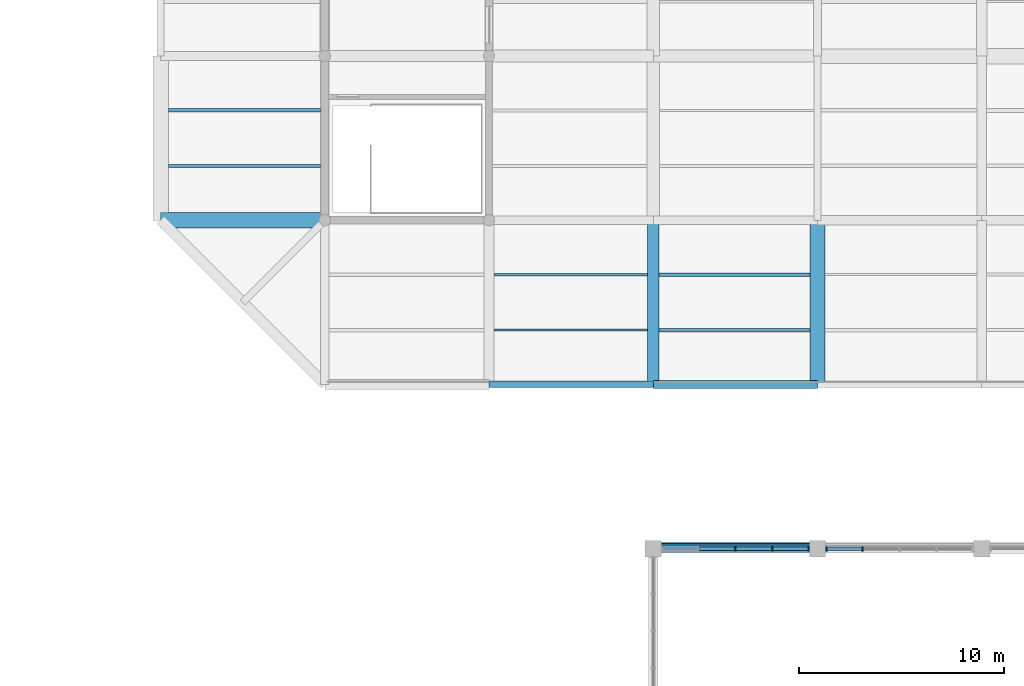
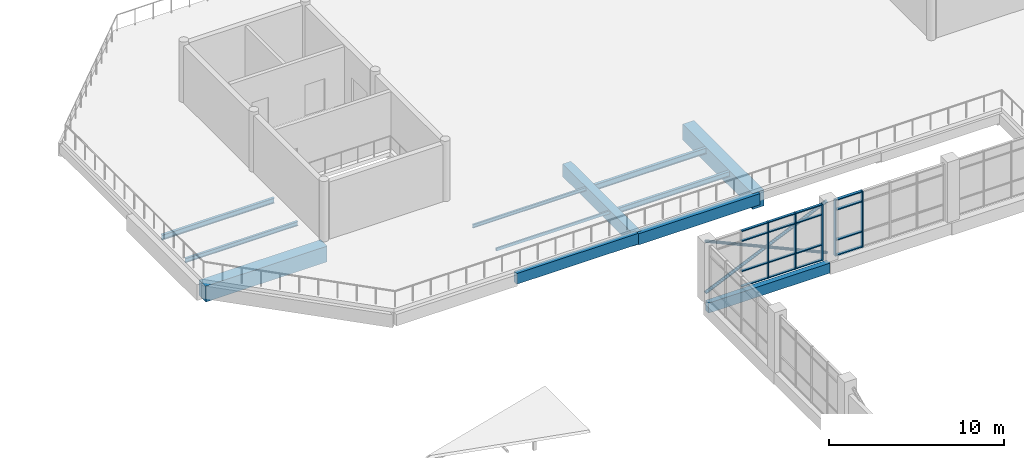
# One storey, part 36 of 84: 23 members, 12 beams, 2 elements without a shape of their own.
"""IFC4 building model written with IfcOpenShell, lengths in metres."""

from ifc_helpers import new_model, si_unit, direction, frame, origin, origin_2d, place, context, subcontext, project, spatial, rectangle, hollow_rectangle, hollow_circle, i_section, extrude, material, material_profile, profile_set, type_object, element, aggregate, save


model = new_model("IFC4")

# Units and contexts
model_context = context("Model", 3, precision=1e-05, world=origin(), true_north=direction((0.0, 1.0)))
body_context = subcontext(model_context, "Body", "Model", "MODEL_VIEW")
ifc_project = project(units=[si_unit("LENGTHUNIT", "METRE"), si_unit("AREAUNIT", "SQUARE_METRE"), si_unit("VOLUMEUNIT", "CUBIC_METRE"), si_unit("PLANEANGLEUNIT", "RADIAN"), si_unit("MASSUNIT", "GRAM", prefix="KILO")], contexts=[model_context])

# Site, building, storey
site_placement = place(None, origin())
site = spatial("IfcSite", under=ifc_project, at=site_placement, CompositionType="ELEMENT")
building_placement = place(site_placement, origin())
building = spatial("IfcBuilding", under=site, at=building_placement, Name="Tenunan Teduh Sports Hall", CompositionType="ELEMENT")
storey_placement = place(building_placement, frame((0.0, 0.0, 10.800048828125)))
storey = spatial("IfcBuildingStorey", under=building, at=storey_placement, Name="L02", CompositionType="ELEMENT", Elevation=10.800048828125)

# Beams
ifc_material_1 = material(Name="Concrete C40/50", Category="concrete")
ifc_material_profile_1 = material_profile(ifc_material_1, rectangle(XDim=0.35009765625, YDim=0.699951171875, at=origin_2d()), Name="RCB 350x700")
ifc_profile_set_1 = profile_set([ifc_material_profile_1], Name="Concrete C40/50")
beam_type_1 = type_object("IfcBeamType", Name="BM-RC-350x700", PredefinedType="BEAM", material=ifc_profile_set_1)
beam_1_placement = place(storey_placement, frame((122.0, 78.0, -0.610107421875), z_axis=(1.0, 0.0, 0.0), x_axis=(0.0, 1.0, 0.0)))
element("IfcBeam", 1, at=beam_1_placement, inside=storey, type_object=beam_type_1, Name="BM-B-06-L02-1487", PredefinedType="BEAM", context=body_context, shape_type="SweptSolid", body=[
    extrude(rectangle(XDim=0.35009765625, YDim=0.699951171875, at=origin_2d()), origin(), (0.0, 0.0, 1.0), 8.0),
])
ifc_material_2 = material(Name="Concrete C40/50", Category="concrete")
ifc_material_profile_2 = material_profile(ifc_material_2, rectangle(XDim=0.550048828125, YDim=0.89990234375, at=origin_2d()), Name="RCB 550x900")
ifc_profile_set_2 = profile_set([ifc_material_profile_2], Name="Concrete C40/50")
beam_type_2 = type_object("IfcBeamType", Name="BM-RC-550x900", PredefinedType="BEAM", material=ifc_profile_set_2)
beam_2_placement = place(storey_placement, frame((122.0, 86.0, -0.7099609375), z_axis=(0.0, 1.0, 0.0), x_axis=(-1.0, 0.0, 0.0)))
element("IfcBeam", 2, at=beam_2_placement, inside=storey, type_object=beam_type_2, Name="BM-B-16-L02-1641", PredefinedType="BEAM", context=body_context, shape_type="SweptSolid", body=[
    extrude(rectangle(XDim=0.550048828125, YDim=0.89990234375, at=origin_2d()), origin(), (0.0, 0.0, 1.0), 8.0),
])
ifc_material_3 = material(Name="Concrete C40/50", Category="concrete")
ifc_material_profile_3 = material_profile(ifc_material_3, rectangle(XDim=0.75, YDim=1.10009765625, at=origin_2d()), Name="RCB 750x1100")
ifc_profile_set_3 = profile_set([ifc_material_profile_3], Name="Concrete C40/50")
beam_type_3 = type_object("IfcBeamType", Name="BM-RC-750x1100", PredefinedType="SPANDREL", material=ifc_profile_set_3)
for number, where, z_axis, x_axis, name in (
    (3, (98.0, 94.0, -0.81005859375), (1.0, 0.0, 0.0), (0.0, 1.0, 0.0), "BM-B-20-L02-1516"),
    (4, (130.0, 86.0, -0.81005859375), (0.0, 1.0, 0.0), (-1.0, 0.0, 0.0), "BM-B-20-L02-1645"),
):
    element("IfcBeam", number, at=place(storey_placement, frame(where, z_axis=z_axis, x_axis=x_axis)), inside=storey, type_object=beam_type_3, Name=name, PredefinedType="SPANDREL", context=body_context, shape_type="SweptSolid", body=[
        extrude(rectangle(XDim=0.75, YDim=1.10009765625, at=origin_2d()), origin(), (0.0, 0.0, 1.0), 8.0),
    ])
ifc_material_4 = material(Name="Concrete C40/50", Category="concrete")
ifc_material_profile_4 = material_profile(ifc_material_4, rectangle(XDim=0.300048828125, YDim=0.75, at=origin_2d()), Name="SPB 300x750")
ifc_profile_set_4 = profile_set([ifc_material_profile_4], Name="Concrete C40/50")
beam_type_4 = type_object("IfcBeamType", Name="BM-SP-300x750", PredefinedType="SPANDREL", material=ifc_profile_set_4)
beam_3_placement = place(storey_placement, frame((114.0, 86.0, -0.635009765625), z_axis=(1.0, 0.0, 0.0), x_axis=(0.0, 1.0, 0.0)))
element("IfcBeam", 5, at=beam_3_placement, inside=storey, type_object=beam_type_4, Name="BM-SP-01-L02-1501", PredefinedType="SPANDREL", context=body_context, shape_type="SweptSolid", body=[
    extrude(rectangle(XDim=0.300048828125, YDim=0.75, at=origin_2d()), origin(), (0.0, 0.0, 1.0), 8.0),
])
ifc_material_5 = material(Name="Concrete C40/50", Category="concrete")
ifc_material_profile_5 = material_profile(ifc_material_5, rectangle(XDim=0.39990234375, YDim=0.780029296875, at=origin_2d()), Name="TB 400x780")
ifc_profile_set_5 = profile_set([ifc_material_profile_5], Name="Concrete C40/50")
beam_type_5 = type_object("IfcBeamType", Name="BM-TB-400x780", PredefinedType="T_BEAM", material=ifc_profile_set_5)
beam_4_placement = place(storey_placement, frame((122.0, 86.0, -0.650146484375), z_axis=(1.0, 0.0, 0.0), x_axis=(0.0, 1.0, 0.0)))
element("IfcBeam", 6, at=beam_4_placement, inside=storey, type_object=beam_type_5, Name="BM-TB-02-L02-1502", PredefinedType="T_BEAM", context=body_context, shape_type="SweptSolid", body=[
    extrude(rectangle(XDim=0.39990234375, YDim=0.780029296875, at=origin_2d()), origin(), (0.0, 0.0, 1.0), 8.0),
])

# Curtain wall, members
ifc_material_6 = material(Name="Anodised aluminium", Category="aluminium")
curtain_wall_type = type_object("IfcCurtainWallType", Name="CW-UNIT-2", PredefinedType="NOTDEFINED", material=ifc_material_6)
curtain_wall_1_placement = place(storey_placement, origin())
curtain_wall_1 = element("IfcCurtainWall", 7, at=curtain_wall_1_placement, inside=storey, type_object=curtain_wall_type, Name="CW-CWM-200-L02-128", PredefinedType="NOTDEFINED")
ifc_material_7 = material(Name="Anodised aluminium", Category="aluminium")
ifc_material_profile_6 = material_profile(ifc_material_7, rectangle(XDim=0.070068359375, YDim=0.199951171875, at=origin_2d()), Name="CWM 70x200")
ifc_profile_set_6 = profile_set([ifc_material_profile_6], Name="Anodised aluminium")
member_type_1 = type_object("IfcMemberType", Name="CWM-200", PredefinedType="MULLION", material=ifc_profile_set_6)
member_1_placement = place(storey_placement, frame((126.0, 78.0, 0.0), z_axis=(0.0, 0.0, 1.0), x_axis=(1.0, 0.0, 0.0)))
member_1 = element("IfcMember", 8, at=member_1_placement, type_object=member_type_1, Name="CW-02 mullion 3", PredefinedType="MULLION", context=body_context, shape_type="SweptSolid", body=[
    extrude(rectangle(XDim=0.070068359375, YDim=0.199951171875, at=origin_2d()), origin(), (0.0, 0.0, 1.0), 3.919921875),
])
member_2_placement = place(storey_placement, frame((127.800048828125, 78.0, 0.0), z_axis=(0.0, 0.0, 1.0), x_axis=(1.0, 0.0, 0.0)))
member_2 = element("IfcMember", 9, at=member_2_placement, type_object=member_type_1, Name="CW-02 mullion 4", PredefinedType="MULLION", context=body_context, shape_type="SweptSolid", body=[
    extrude(rectangle(XDim=0.070068359375, YDim=0.199951171875, at=origin_2d()), origin(), (0.0, 0.0, 1.0), 3.919921875),
])
member_3_placement = place(storey_placement, frame((129.56494140625, 78.0, 0.0), z_axis=(0.0, 0.0, 1.0), x_axis=(1.0, 0.0, 0.0)))
member_3 = element("IfcMember", 10, at=member_3_placement, type_object=member_type_1, Name="CW-02 mullion 5", PredefinedType="MULLION", context=body_context, shape_type="SweptSolid", body=[
    extrude(rectangle(XDim=0.070068359375, YDim=0.199951171875, at=origin_2d()), origin(), (0.0, 0.0, 1.0), 3.919921875),
])

curtain_wall_2_placement = place(storey_placement, origin())
curtain_wall_2 = element("IfcCurtainWall", 11, at=curtain_wall_2_placement, inside=storey, type_object=curtain_wall_type, Name="CW-CWM-220-L02-129", PredefinedType="NOTDEFINED")
ifc_material_8 = material(Name="Anodised aluminium", Category="aluminium")
ifc_material_profile_7 = material_profile(ifc_material_8, rectangle(XDim=0.074951171875, YDim=0.219970703125, at=origin_2d()), Name="CWM 75x220")
ifc_profile_set_7 = profile_set([ifc_material_profile_7], Name="Anodised aluminium")
member_type_2 = type_object("IfcMemberType", Name="CWM-220", PredefinedType="MULLION", material=ifc_profile_set_7)
member_4_placement = place(storey_placement, frame((130.4375, 78.0, 0.0), z_axis=(0.0, 0.0, 1.0), x_axis=(1.0, 0.0, 0.0)))
member_4 = element("IfcMember", 12, at=member_4_placement, type_object=member_type_2, Name="CW-02 mullion 1", PredefinedType="MULLION", context=body_context, shape_type="SweptSolid", body=[
    extrude(rectangle(XDim=0.074951171875, YDim=0.219970703125, at=origin_2d()), origin(), (0.0, 0.0, 1.0), 3.919921875),
])
member_5_placement = place(storey_placement, frame((132.199951171875, 78.0, 0.0), z_axis=(0.0, 0.0, 1.0), x_axis=(1.0, 0.0, 0.0)))
member_5 = element("IfcMember", 13, at=member_5_placement, type_object=member_type_2, Name="CW-02 mullion 2", PredefinedType="MULLION", context=body_context, shape_type="SweptSolid", body=[
    extrude(rectangle(XDim=0.074951171875, YDim=0.219970703125, at=origin_2d()), origin(), (0.0, 0.0, 1.0), 3.919921875),
])
ifc_material_9 = material(Name="Anodised aluminium", Category="aluminium")
ifc_material_profile_8 = material_profile(ifc_material_9, rectangle(XDim=0.074951171875, YDim=0.179931640625, at=origin_2d()), Name="CWT 75x180")
ifc_profile_set_8 = profile_set([ifc_material_profile_8], Name="Anodised aluminium")
member_type_3 = type_object("IfcMemberType", Name="CWT-180", PredefinedType="USERDEFINED", material=ifc_profile_set_8)
member_6_placement = place(storey_placement, frame((130.47509765625, 78.0, 0.037353515625), z_axis=(1.0, 0.0, 0.0), x_axis=(0.0, 0.0, 1.0)))
member_6 = element("IfcMember", 14, at=member_6_placement, type_object=member_type_3, Name="CW-02 transom 1.1", ObjectType="TRANSOM", PredefinedType="USERDEFINED", context=body_context, shape_type="SweptSolid", body=[
    extrude(rectangle(XDim=0.074951171875, YDim=0.179931640625, at=origin_2d()), origin(), (0.0, 0.0, 1.0), 1.6875),
])
member_7_placement = place(storey_placement, frame((130.47509765625, 78.0, 1.099853515625), z_axis=(1.0, 0.0, 0.0), x_axis=(0.0, 0.0, 1.0)))
member_7 = element("IfcMember", 15, at=member_7_placement, type_object=member_type_3, Name="CW-02 transom 1.2", ObjectType="TRANSOM", PredefinedType="USERDEFINED", context=body_context, shape_type="SweptSolid", body=[
    extrude(rectangle(XDim=0.074951171875, YDim=0.179931640625, at=origin_2d()), origin(), (0.0, 0.0, 1.0), 1.6875),
])
member_8_placement = place(storey_placement, frame((130.47509765625, 78.0, 3.199951171875), z_axis=(1.0, 0.0, 0.0), x_axis=(0.0, 0.0, 1.0)))
member_8 = element("IfcMember", 16, at=member_8_placement, type_object=member_type_3, Name="CW-02 transom 1.3", ObjectType="TRANSOM", PredefinedType="USERDEFINED", context=body_context, shape_type="SweptSolid", body=[
    extrude(rectangle(XDim=0.074951171875, YDim=0.179931640625, at=origin_2d()), origin(), (0.0, 0.0, 1.0), 1.6875),
])
member_9_placement = place(storey_placement, frame((130.47509765625, 78.0, 3.882568359375), z_axis=(1.0, 0.0, 0.0), x_axis=(0.0, 0.0, 1.0)))
member_9 = element("IfcMember", 17, at=member_9_placement, type_object=member_type_3, Name="CW-02 transom 1.4", ObjectType="TRANSOM", PredefinedType="USERDEFINED", context=body_context, shape_type="SweptSolid", body=[
    extrude(rectangle(XDim=0.074951171875, YDim=0.179931640625, at=origin_2d()), origin(), (0.0, 0.0, 1.0), 1.6875),
])
aggregate(curtain_wall_2, [member_4, member_5, member_6, member_7, member_8, member_9])

# Member
ifc_material_10 = material(Name="Anodised aluminium", Category="aluminium")
ifc_material_profile_9 = material_profile(ifc_material_10, rectangle(XDim=0.070068359375, YDim=0.159912109375, at=origin_2d()), Name="CWT 70x160")
ifc_profile_set_9 = profile_set([ifc_material_profile_9], Name="Anodised aluminium")
member_type_4 = type_object("IfcMemberType", Name="CWT-200", PredefinedType="USERDEFINED", material=ifc_profile_set_9)
member_10_placement = place(storey_placement, frame((124.235107421875, 78.0, 0.034912109375), z_axis=(1.0, 0.0, 0.0), x_axis=(0.0, 0.0, 1.0)))
member_10 = element("IfcMember", 18, at=member_10_placement, type_object=member_type_4, Name="CW-02 transom 2.1", ObjectType="TRANSOM", PredefinedType="USERDEFINED", context=body_context, shape_type="SweptSolid", body=[
    extrude(rectangle(XDim=0.070068359375, YDim=0.159912109375, at=origin_2d()), origin(), (0.0, 0.0, 1.0), 1.72998046875),
])

member_11_placement = place(storey_placement, frame((124.235107421875, 78.0, 1.099853515625), z_axis=(1.0, 0.0, 0.0), x_axis=(0.0, 0.0, 1.0)))
member_11 = element("IfcMember", 19, at=member_11_placement, type_object=member_type_4, Name="CW-02 transom 2.2", ObjectType="TRANSOM", PredefinedType="USERDEFINED", context=body_context, shape_type="SweptSolid", body=[
    extrude(rectangle(XDim=0.070068359375, YDim=0.159912109375, at=origin_2d()), origin(), (0.0, 0.0, 1.0), 1.72998046875),
])

member_12_placement = place(storey_placement, frame((124.235107421875, 78.0, 3.199951171875), z_axis=(1.0, 0.0, 0.0), x_axis=(0.0, 0.0, 1.0)))
member_12 = element("IfcMember", 20, at=member_12_placement, type_object=member_type_4, Name="CW-02 transom 2.3", ObjectType="TRANSOM", PredefinedType="USERDEFINED", context=body_context, shape_type="SweptSolid", body=[
    extrude(rectangle(XDim=0.070068359375, YDim=0.159912109375, at=origin_2d()), origin(), (0.0, 0.0, 1.0), 1.72998046875),
])

member_13_placement = place(storey_placement, frame((124.235107421875, 78.0, 3.885009765625), z_axis=(1.0, 0.0, 0.0), x_axis=(0.0, 0.0, 1.0)))
member_13 = element("IfcMember", 21, at=member_13_placement, type_object=member_type_4, Name="CW-02 transom 2.4", ObjectType="TRANSOM", PredefinedType="USERDEFINED", context=body_context, shape_type="SweptSolid", body=[
    extrude(rectangle(XDim=0.070068359375, YDim=0.159912109375, at=origin_2d()), origin(), (0.0, 0.0, 1.0), 1.72998046875),
])

member_14_placement = place(storey_placement, frame((126.034912109375, 78.0, 0.034912109375), z_axis=(1.0, 0.0, 0.0), x_axis=(0.0, 0.0, 1.0)))
member_14 = element("IfcMember", 22, at=member_14_placement, type_object=member_type_4, Name="CW-02 transom 3.1", ObjectType="TRANSOM", PredefinedType="USERDEFINED", context=body_context, shape_type="SweptSolid", body=[
    extrude(rectangle(XDim=0.070068359375, YDim=0.159912109375, at=origin_2d()), origin(), (0.0, 0.0, 1.0), 1.72998046875),
])

member_15_placement = place(storey_placement, frame((126.034912109375, 78.0, 1.099853515625), z_axis=(1.0, 0.0, 0.0), x_axis=(0.0, 0.0, 1.0)))
member_15 = element("IfcMember", 23, at=member_15_placement, type_object=member_type_4, Name="CW-02 transom 3.2", ObjectType="TRANSOM", PredefinedType="USERDEFINED", context=body_context, shape_type="SweptSolid", body=[
    extrude(rectangle(XDim=0.070068359375, YDim=0.159912109375, at=origin_2d()), origin(), (0.0, 0.0, 1.0), 1.72998046875),
])

member_16_placement = place(storey_placement, frame((126.034912109375, 78.0, 3.199951171875), z_axis=(1.0, 0.0, 0.0), x_axis=(0.0, 0.0, 1.0)))
member_16 = element("IfcMember", 24, at=member_16_placement, type_object=member_type_4, Name="CW-02 transom 3.3", ObjectType="TRANSOM", PredefinedType="USERDEFINED", context=body_context, shape_type="SweptSolid", body=[
    extrude(rectangle(XDim=0.070068359375, YDim=0.159912109375, at=origin_2d()), origin(), (0.0, 0.0, 1.0), 1.72998046875),
])

member_17_placement = place(storey_placement, frame((126.034912109375, 78.0, 3.885009765625), z_axis=(1.0, 0.0, 0.0), x_axis=(0.0, 0.0, 1.0)))
member_17 = element("IfcMember", 25, at=member_17_placement, type_object=member_type_4, Name="CW-02 transom 3.4", ObjectType="TRANSOM", PredefinedType="USERDEFINED", context=body_context, shape_type="SweptSolid", body=[
    extrude(rectangle(XDim=0.070068359375, YDim=0.159912109375, at=origin_2d()), origin(), (0.0, 0.0, 1.0), 1.72998046875),
])

member_18_placement = place(storey_placement, frame((127.8349609375, 78.0, 0.034912109375), z_axis=(1.0, 0.0, 0.0), x_axis=(0.0, 0.0, 1.0)))
member_18 = element("IfcMember", 26, at=member_18_placement, type_object=member_type_4, Name="CW-02 transom 4.1", ObjectType="TRANSOM", PredefinedType="USERDEFINED", context=body_context, shape_type="SweptSolid", body=[
    extrude(rectangle(XDim=0.070068359375, YDim=0.159912109375, at=origin_2d()), origin(), (0.0, 0.0, 1.0), 1.695068359375),
])

member_19_placement = place(storey_placement, frame((127.8349609375, 78.0, 1.099853515625), z_axis=(1.0, 0.0, 0.0), x_axis=(0.0, 0.0, 1.0)))
member_19 = element("IfcMember", 27, at=member_19_placement, type_object=member_type_4, Name="CW-02 transom 4.2", ObjectType="TRANSOM", PredefinedType="USERDEFINED", context=body_context, shape_type="SweptSolid", body=[
    extrude(rectangle(XDim=0.070068359375, YDim=0.159912109375, at=origin_2d()), origin(), (0.0, 0.0, 1.0), 1.695068359375),
])

member_20_placement = place(storey_placement, frame((127.8349609375, 78.0, 3.199951171875), z_axis=(1.0, 0.0, 0.0), x_axis=(0.0, 0.0, 1.0)))
member_20 = element("IfcMember", 28, at=member_20_placement, type_object=member_type_4, Name="CW-02 transom 4.3", ObjectType="TRANSOM", PredefinedType="USERDEFINED", context=body_context, shape_type="SweptSolid", body=[
    extrude(rectangle(XDim=0.070068359375, YDim=0.159912109375, at=origin_2d()), origin(), (0.0, 0.0, 1.0), 1.695068359375),
])

member_21_placement = place(storey_placement, frame((127.8349609375, 78.0, 3.885009765625), z_axis=(1.0, 0.0, 0.0), x_axis=(0.0, 0.0, 1.0)))
member_21 = element("IfcMember", 29, at=member_21_placement, type_object=member_type_4, Name="CW-02 transom 4.4", ObjectType="TRANSOM", PredefinedType="USERDEFINED", context=body_context, shape_type="SweptSolid", body=[
    extrude(rectangle(XDim=0.070068359375, YDim=0.159912109375, at=origin_2d()), origin(), (0.0, 0.0, 1.0), 1.695068359375),
])

aggregate(curtain_wall_1, [member_1, member_2, member_3, member_10, member_11, member_12, member_13, member_14, member_15, member_16, member_17, member_18, member_19, member_20, member_21])

# Beams
ifc_material_11 = material(Name="Steel S355", Category="steel")
ifc_material_profile_10 = material_profile(ifc_material_11, i_section(OverallWidth=0.1201171875, OverallDepth=0.239990234375, WebThickness=0.006103515625, FlangeThickness=0.009765625, FilletRadius=0.014892578125, at=origin_2d()), Name="IPE 240")
ifc_profile_set_10 = profile_set([ifc_material_profile_10], Name="Steel S355")
beam_type_6 = type_object("IfcBeamType", Name="JST-IPE240", PredefinedType="JOIST", material=ifc_profile_set_10)
beam_5_placement = place(storey_placement, frame((114.25, 91.35009765625, -0.380126953125), z_axis=(1.0, 0.0, 0.0), x_axis=(0.0, 1.0, 0.0)))
element("IfcBeam", 30, at=beam_5_placement, inside=storey, type_object=beam_type_6, Name="BM-J-02-L02-1759", PredefinedType="JOIST", context=body_context, shape_type="SweptSolid", body=[
    extrude(i_section(OverallWidth=0.1201171875, OverallDepth=0.239990234375, WebThickness=0.006103515625, FlangeThickness=0.009765625, FilletRadius=0.014892578125, at=origin_2d()), origin(), (0.0, 0.0, 1.0), 7.47509765625),
])
ifc_material_12 = material(Name="Steel S355", Category="steel")
ifc_material_profile_11 = material_profile(ifc_material_12, i_section(OverallWidth=0.14990234375, OverallDepth=0.300048828125, WebThickness=0.007080078125, FlangeThickness=0.0107421875, FilletRadius=0.014892578125, at=origin_2d()), Name="IPE 300")
ifc_profile_set_11 = profile_set([ifc_material_profile_11], Name="Steel S355")
beam_type_7 = type_object("IfcBeamType", Name="JST-IPE300", PredefinedType="JOIST", material=ifc_profile_set_11)
beam_6_placement = place(storey_placement, frame((98.375, 96.64990234375, -0.41015625), z_axis=(1.0, 0.0, 0.0), x_axis=(0.0, 1.0, 0.0)))
element("IfcBeam", 31, at=beam_6_placement, inside=storey, type_object=beam_type_7, Name="BM-J-04-L02-1750", PredefinedType="JOIST", context=body_context, shape_type="SweptSolid", body=[
    extrude(i_section(OverallWidth=0.14990234375, OverallDepth=0.300048828125, WebThickness=0.007080078125, FlangeThickness=0.0107421875, FilletRadius=0.014892578125, at=origin_2d()), origin(), (0.0, 0.0, 1.0), 7.425048828125),
])
ifc_material_13 = material(Name="Steel S355", Category="steel")
ifc_material_profile_12 = material_profile(ifc_material_13, i_section(OverallWidth=0.169921875, OverallDepth=0.360107421875, WebThickness=0.008056640625, FlangeThickness=0.0126953125, FilletRadius=0.01806640625, at=origin_2d()), Name="IPE 360")
ifc_profile_set_12 = profile_set([ifc_material_profile_12], Name="Steel S355")
beam_type_8 = type_object("IfcBeamType", Name="JST-IPE360", PredefinedType="JOIST", material=ifc_profile_set_12)
beam_7_placement = place(storey_placement, frame((98.375, 99.35009765625, -0.43994140625), z_axis=(1.0, 0.0, 0.0), x_axis=(0.0, 1.0, 0.0)))
element("IfcBeam", 32, at=beam_7_placement, inside=storey, type_object=beam_type_8, Name="BM-J-05-L02-1751", PredefinedType="JOIST", context=body_context, shape_type="SweptSolid", body=[
    extrude(i_section(OverallWidth=0.169921875, OverallDepth=0.360107421875, WebThickness=0.008056640625, FlangeThickness=0.0126953125, FilletRadius=0.01806640625, at=origin_2d()), origin(), (0.0, 0.0, 1.0), 7.425048828125),
])

# Members
ifc_material_14 = material(Name="Steel S355", Category="steel")
ifc_material_profile_13 = material_profile(ifc_material_14, hollow_circle(Radius=0.096923828125, WallThickness=0.008056640625, at=origin_2d()), Name="CHS 193.7x8.0")
ifc_profile_set_13 = profile_set([ifc_material_profile_13], Name="Steel S355")
member_type_5 = type_object("IfcMemberType", Name="MEM-BR-CHS194", PredefinedType="BRACE", material=ifc_profile_set_13)
member_22_placement = place(storey_placement, frame((130.0, 78.18994140625, 0.25), z_axis=(-0.911927753762, 0.0, 0.410350791297), x_axis=(0.0, -1.0, 0.0)))
element("IfcMember", 33, at=member_22_placement, inside=storey, type_object=member_type_5, Name="MEM-GD-03-L02-1077", PredefinedType="BRACE", context=body_context, shape_type="SweptSolid", body=[
    extrude(hollow_circle(Radius=0.096923828125, WallThickness=0.008056640625, at=origin_2d()), origin(), (0.0, 0.0, 1.0), 8.772705078125),
])
ifc_material_15 = material(Name="Steel S355", Category="steel")
ifc_material_profile_14 = material_profile(ifc_material_15, hollow_circle(Radius=0.109619140625, WallThickness=0.010009765625, at=origin_2d()), Name="CHS 219.1x10.0")
ifc_profile_set_14 = profile_set([ifc_material_profile_14], Name="Steel S355")
member_type_6 = type_object("IfcMemberType", Name="MEM-BR-CHS219", PredefinedType="BRACE", material=ifc_profile_set_14)
member_23_placement = place(storey_placement, frame((122.0, 78.199951171875, 0.25), z_axis=(0.911927753762, 0.0, 0.410350791297), x_axis=(0.0, 1.0, 0.0)))
element("IfcMember", 34, at=member_23_placement, inside=storey, type_object=member_type_6, Name="MEM-GD-02-L02-1076", PredefinedType="BRACE", context=body_context, shape_type="SweptSolid", body=[
    extrude(hollow_circle(Radius=0.109619140625, WallThickness=0.010009765625, at=origin_2d()), origin(), (0.0, 0.0, 1.0), 8.772705078125),
])

# Beams
ifc_material_16 = material(Name="Steel S355", Category="steel")
ifc_material_profile_15 = material_profile(ifc_material_16, hollow_rectangle(XDim=0.10009765625, YDim=0.199951171875, WallThickness=0.008056640625, at=origin_2d()), Name="RHS 200x100x8.0")
ifc_profile_set_15 = profile_set([ifc_material_profile_15], Name="Steel S355")
beam_type_9 = type_object("IfcBeamType", Name="RBM-RHS200", PredefinedType="JOIST", material=ifc_profile_set_15)
beam_8_placement = place(storey_placement, frame((114.25, 88.64990234375, -0.360107421875), z_axis=(1.0, 0.0, 0.0), x_axis=(0.0, 1.0, 0.0)))
element("IfcBeam", 35, at=beam_8_placement, inside=storey, type_object=beam_type_9, Name="Perimeter Ring Beam BM-RB-05-L02-1758", PredefinedType="JOIST", context=body_context, shape_type="SweptSolid", body=[
    extrude(hollow_rectangle(XDim=0.10009765625, YDim=0.199951171875, WallThickness=0.008056640625, at=origin_2d()), origin(), (0.0, 0.0, 1.0), 7.47509765625),
])
ifc_material_17 = material(Name="Steel S355", Category="steel")
ifc_material_profile_16 = material_profile(ifc_material_17, i_section(OverallWidth=0.17138671875, OverallDepth=0.35498046875, WebThickness=0.00732421875, FlangeThickness=0.011474609375, FilletRadius=0.01025390625, at=origin_2d()), Name="UKB 356x171x51")
ifc_profile_set_16 = profile_set([ifc_material_profile_16], Name="Steel S355")
beam_type_10 = type_object("IfcBeamType", Name="SBM-UKB356", PredefinedType="BEAM", material=ifc_profile_set_16)
beam_9_placement = place(storey_placement, frame((122.27490234375, 88.64990234375, -0.4375), z_axis=(1.0, 0.0, 0.0), x_axis=(0.0, 1.0, 0.0)))
element("IfcBeam", 36, at=beam_9_placement, inside=storey, type_object=beam_type_10, Name="BM-SB-02-L02-1766", PredefinedType="BEAM", context=body_context, shape_type="SweptSolid", body=[
    extrude(i_section(OverallWidth=0.17138671875, OverallDepth=0.35498046875, WebThickness=0.00732421875, FlangeThickness=0.011474609375, FilletRadius=0.01025390625, at=origin_2d()), origin(), (0.0, 0.0, 1.0), 7.35009765625),
])
ifc_material_18 = material(Name="Steel S355", Category="steel")
ifc_material_profile_17 = material_profile(ifc_material_18, i_section(OverallWidth=0.177978515625, OverallDepth=0.406494140625, WebThickness=0.0078125, FlangeThickness=0.0126953125, FilletRadius=0.01025390625, at=origin_2d()), Name="UKB 406x178x60")
ifc_profile_set_17 = profile_set([ifc_material_profile_17], Name="Steel S355")
beam_type_11 = type_object("IfcBeamType", Name="SBM-UKB406", PredefinedType="BEAM", material=ifc_profile_set_17)
beam_10_placement = place(storey_placement, frame((122.27490234375, 91.35009765625, -0.463134765625), z_axis=(1.0, 0.0, 0.0), x_axis=(0.0, 1.0, 0.0)))
element("IfcBeam", 37, at=beam_10_placement, inside=storey, type_object=beam_type_11, Name="BM-SB-03-L02-1767", PredefinedType="BEAM", context=body_context, shape_type="SweptSolid", body=[
    extrude(i_section(OverallWidth=0.177978515625, OverallDepth=0.406494140625, WebThickness=0.0078125, FlangeThickness=0.0126953125, FilletRadius=0.01025390625, at=origin_2d()), origin(), (0.0, 0.0, 1.0), 7.35009765625),
])

save(model, "model.ifc")
